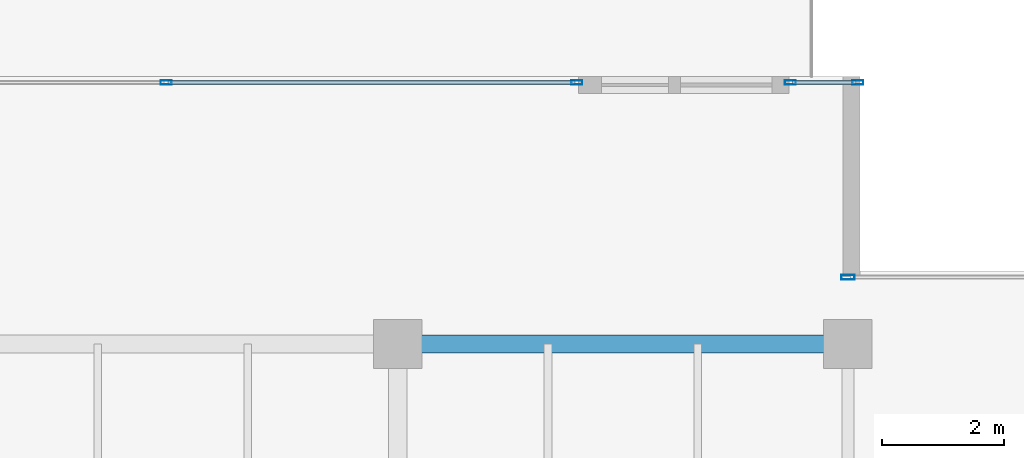
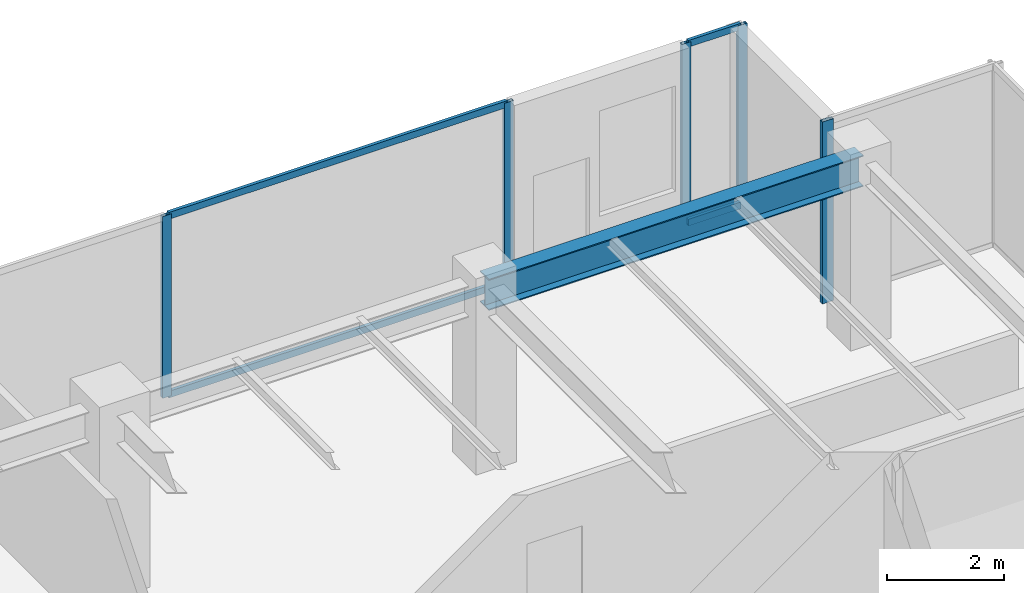
# One storey, part 21 of 34: 9 members, 1 beam, 3 elements without a shape of their own.
"""IFC4 building model written with IfcOpenShell, lengths in metres."""

from ifc_helpers import new_model, si_unit, direction, frame, origin, origin_2d, place, context, subcontext, project, spatial, hollow_rectangle, i_section, extrude, source, transform, mapped, material, layer, layer_set, material_profile, profile_set, type_object, type_shapes, element, aggregate, save


model = new_model("IFC4")

# Units and contexts
model_context = context("Model", 3, precision=1e-05, world=origin(), true_north=direction((0.0, 1.0)))
body_context = subcontext(model_context, "Body", "Model", "MODEL_VIEW")
ifc_project = project(units=[si_unit("LENGTHUNIT", "METRE"), si_unit("AREAUNIT", "SQUARE_METRE"), si_unit("VOLUMEUNIT", "CUBIC_METRE"), si_unit("PLANEANGLEUNIT", "RADIAN"), si_unit("MASSUNIT", "GRAM", prefix="KILO")], contexts=[model_context])

# Site, building, storey
site_placement = place(None, origin())
site = spatial("IfcSite", under=ifc_project, at=site_placement, CompositionType="ELEMENT")
building_placement = place(site_placement, origin())
building = spatial("IfcBuilding", under=site, at=building_placement, Name="Haelvirn Gate Laboratories", CompositionType="ELEMENT")
storey_placement = place(building_placement, frame((0.0, 0.0, 246.5)))
storey = spatial("IfcBuildingStorey", under=building, at=storey_placement, Name="L59", CompositionType="ELEMENT", Elevation=246.5)

# Beam
ifc_material_1 = material(Name="Steel SM355", Category="steel")
ifc_material_profile_1 = material_profile(ifc_material_1, i_section(OverallWidth=0.300048828125, OverallDepth=0.64990234375, WebThickness=0.012939453125, FlangeThickness=0.02197265625, at=origin_2d()), Name="H-650x300x13x22")
ifc_profile_set_1 = profile_set([ifc_material_profile_1], Name="Steel SM355")
beam_type = type_object("IfcBeamType", Name="BM-G-650", PredefinedType="BEAM", material=ifc_profile_set_1)
shared_shape_1 = source(origin(), body_context, "Body", "SweptSolid", [
    extrude(i_section(OverallWidth=0.300048828125, OverallDepth=0.64990234375, WebThickness=0.012939453125, FlangeThickness=0.02197265625, at=origin_2d()), origin(), (0.0, 0.0, 1.0), 7.39990234375),
])
type_shapes(beam_type, [shared_shape_1])
beam_placement = place(storey_placement, frame((60.0, 41.60009765625, 3.47509765625), z_axis=(1.0, 0.0, 0.0), x_axis=(0.0, 1.0, 0.0)))
element("IfcBeam", 1, at=beam_placement, inside=storey, type_object=beam_type, Name="L59 Primary Girder Y41.6 (60.0-67.4)", PredefinedType="BEAM", context=body_context, shape_type="MappedRepresentation", body=[
    mapped(shared_shape_1, transform((0.0, 0.0, 0.0), scale=1.0)),
])

# Curtain wall, members
ifc_material_2 = material(Name="Anodised bronze unitised aluminium & triple low-E glass", Category="aluminium")
ifc_layer_1 = layer(ifc_material_2, 0.176025390625, Name="CW-SYS-4")
ifc_layer_set_1 = layer_set([ifc_layer_1], Name="Anodised bronze unitised aluminium & triple low-E glass")
curtain_wall_type_1 = type_object("IfcCurtainWallType", Name="CW-SYS-4", PredefinedType="NOTDEFINED", material=ifc_layer_set_1)
curtain_wall_1_placement = place(storey_placement, origin())
curtain_wall_1 = element("IfcCurtainWall", 2, at=curtain_wall_1_placement, inside=storey, type_object=curtain_wall_type_1, Name="L59 Unitised Curtain Wall CW-L59-P0-E10-1", PredefinedType="NOTDEFINED")
ifc_material_3 = material(Name="Extruded aluminium 6063-T6 (anodised bronze)", Category="aluminium")
ifc_material_profile_2 = material_profile(ifc_material_3, hollow_rectangle(XDim=0.070068359375, YDim=0.179931640625, WallThickness=0.0048828125, at=origin_2d()), Name="CWM-180x70x5")
ifc_profile_set_2 = profile_set([ifc_material_profile_2], Name="Extruded aluminium 6063-T6 (anodised bronze)")
member_type_1 = type_object("IfcMemberType", Name="CWM-T180", PredefinedType="MULLION", material=ifc_profile_set_2)
shared_shape_2 = source(origin(), body_context, "Body", "SweptSolid", [
    extrude(hollow_rectangle(XDim=0.070068359375, YDim=0.179931640625, WallThickness=0.0048828125, at=origin_2d()), origin(), (0.0, 0.0, 1.0), 3.800048828125),
])
type_shapes(member_type_1, [shared_shape_2])
member_1_placement = place(storey_placement, frame((56.18994140625, 45.89990234375, 0.0), z_axis=(0.0, 0.0, 1.0), x_axis=(0.0, 1.0, 0.0)))
member_1 = element("IfcMember", 3, at=member_1_placement, type_object=member_type_1, Name="CW4 mullion 2", PredefinedType="MULLION", context=body_context, shape_type="MappedRepresentation", body=[
    mapped(shared_shape_2, transform((0.0, 0.0, 0.0), scale=1.0)),
])
member_2_placement = place(storey_placement, frame((62.945068359375, 45.89990234375, 0.0), z_axis=(0.0, 0.0, 1.0), x_axis=(0.0, 1.0, 0.0)))
member_2 = element("IfcMember", 4, at=member_2_placement, type_object=member_type_1, Name="CW4 mullion 3", PredefinedType="MULLION", context=body_context, shape_type="MappedRepresentation", body=[
    mapped(shared_shape_2, transform((0.0, 0.0, 0.0), scale=1.0)),
])

curtain_wall_2_placement = place(storey_placement, origin())
curtain_wall_2 = element("IfcCurtainWall", 5, at=curtain_wall_2_placement, inside=storey, type_object=curtain_wall_type_1, Name="L59 Unitised Curtain Wall CW-L59-P0-E10-2", PredefinedType="NOTDEFINED")
member_3_placement = place(storey_placement, frame((66.455078125, 45.89990234375, 0.0), z_axis=(0.0, 0.0, 1.0), x_axis=(0.0, 1.0, 0.0)))
member_3 = element("IfcMember", 6, at=member_3_placement, type_object=member_type_1, Name="CW4 mullion 1", PredefinedType="MULLION", context=body_context, shape_type="MappedRepresentation", body=[
    mapped(shared_shape_2, transform((0.0, 0.0, 0.0), scale=1.0)),
])
member_4_placement = place(storey_placement, frame((67.56494140625, 45.89990234375, 0.0), z_axis=(0.0, 0.0, 1.0), x_axis=(0.0, 1.0, 0.0)))
member_4 = element("IfcMember", 7, at=member_4_placement, type_object=member_type_1, Name="CW4 mullion 2", PredefinedType="MULLION", context=body_context, shape_type="MappedRepresentation", body=[
    mapped(shared_shape_2, transform((0.0, 0.0, 0.0), scale=1.0)),
])

# Curtain wall, member
ifc_layer_2 = layer(ifc_material_2, 0.181884765625, Name="CW-SYS-5")
ifc_layer_set_2 = layer_set([ifc_layer_2], Name="Anodised bronze unitised aluminium & triple low-E glass")
curtain_wall_type_2 = type_object("IfcCurtainWallType", Name="CW-SYS-5", PredefinedType="NOTDEFINED", material=ifc_layer_set_2)
curtain_wall_3_placement = place(storey_placement, origin())
curtain_wall_3 = element("IfcCurtainWall", 8, at=curtain_wall_3_placement, inside=storey, type_object=curtain_wall_type_2, Name="L59 Unitised Curtain Wall CW-L59-P0-E08-1", PredefinedType="NOTDEFINED")
ifc_material_profile_3 = material_profile(ifc_material_3, hollow_rectangle(XDim=0.080078125, YDim=0.219970703125, WallThickness=0.006103515625, at=origin_2d()), Name="CWM-220x80x6")
ifc_profile_set_3 = profile_set([ifc_material_profile_3], Name="Extruded aluminium 6063-T6 (anodised bronze)")
member_type_2 = type_object("IfcMemberType", Name="CWM-T220", PredefinedType="MULLION", material=ifc_profile_set_3)
shared_shape_3 = source(origin(), body_context, "Body", "SweptSolid", [
    extrude(hollow_rectangle(XDim=0.080078125, YDim=0.219970703125, WallThickness=0.006103515625, at=origin_2d()), origin(), (0.0, 0.0, 1.0), 3.800048828125),
])
type_shapes(member_type_2, [shared_shape_3])
member_5_placement = place(storey_placement, frame((67.39990234375, 42.699951171875, 0.0), z_axis=(0.0, 0.0, 1.0), x_axis=(0.0, 1.0, 0.0)))
member_5 = element("IfcMember", 9, at=member_5_placement, type_object=member_type_2, Name="CW5 mullion 1", PredefinedType="MULLION", context=body_context, shape_type="MappedRepresentation", body=[
    mapped(shared_shape_3, transform((0.0, 0.0, 0.0), scale=1.0)),
])
aggregate(curtain_wall_3, [member_5])

# Member
ifc_material_profile_4 = material_profile(ifc_material_3, hollow_rectangle(XDim=0.06494140625, YDim=0.139892578125, WallThickness=0.00390625, at=origin_2d()), Name="CWT-140x65x4")
ifc_profile_set_4 = profile_set([ifc_material_profile_4], Name="Extruded aluminium 6063-T6 (anodised bronze)")
member_type_3 = type_object("IfcMemberType", Name="CWT-T140", PredefinedType="USERDEFINED", material=ifc_profile_set_4)
shared_shape_4 = source(origin(), body_context, "Body", "SweptSolid", [
    extrude(hollow_rectangle(XDim=0.06494140625, YDim=0.139892578125, WallThickness=0.00390625, at=origin_2d()), origin(), (0.0, 0.0, 1.0), 6.684814453125),
])
member_6_placement = place(storey_placement, frame((56.22509765625, 45.89990234375, 0.032470703125), z_axis=(1.0, 0.0, 0.0), x_axis=(0.0, 1.0, 0.0)))
member_6 = element("IfcMember", 10, at=member_6_placement, type_object=member_type_3, Name="CW4 transom 2.1", ObjectType="TRANSOM", PredefinedType="USERDEFINED", context=body_context, shape_type="MappedRepresentation", body=[
    mapped(shared_shape_4, transform((0.0, 0.0, 0.0), scale=1.0)),
])

member_7_placement = place(storey_placement, frame((56.22509765625, 45.89990234375, 3.767578125), z_axis=(1.0, 0.0, 0.0), x_axis=(0.0, 1.0, 0.0)))
member_7 = element("IfcMember", 11, at=member_7_placement, type_object=member_type_3, Name="CW4 transom 2.2", ObjectType="TRANSOM", PredefinedType="USERDEFINED", context=body_context, shape_type="MappedRepresentation", body=[
    mapped(shared_shape_4, transform((0.0, 0.0, 0.0), scale=1.0)),
])

aggregate(curtain_wall_1, [member_1, member_2, member_6, member_7])

shared_shape_5 = source(origin(), body_context, "Body", "SweptSolid", [
    extrude(hollow_rectangle(XDim=0.06494140625, YDim=0.139892578125, WallThickness=0.00390625, at=origin_2d()), origin(), (0.0, 0.0, 1.0), 1.0400390625),
])
type_shapes(member_type_3, [shared_shape_4, shared_shape_5])
member_8_placement = place(storey_placement, frame((66.489990234375, 45.89990234375, 0.032470703125), z_axis=(1.0, 0.0, 0.0), x_axis=(0.0, 1.0, 0.0)))
member_8 = element("IfcMember", 12, at=member_8_placement, type_object=member_type_3, Name="CW4 transom 1.1", ObjectType="TRANSOM", PredefinedType="USERDEFINED", context=body_context, shape_type="MappedRepresentation", body=[
    mapped(shared_shape_5, transform((0.0, 0.0, 0.0), scale=1.0)),
])

member_9_placement = place(storey_placement, frame((66.489990234375, 45.89990234375, 3.767578125), z_axis=(1.0, 0.0, 0.0), x_axis=(0.0, 1.0, 0.0)))
member_9 = element("IfcMember", 13, at=member_9_placement, type_object=member_type_3, Name="CW4 transom 1.2", ObjectType="TRANSOM", PredefinedType="USERDEFINED", context=body_context, shape_type="MappedRepresentation", body=[
    mapped(shared_shape_5, transform((0.0, 0.0, 0.0), scale=1.0)),
])

aggregate(curtain_wall_2, [member_3, member_4, member_8, member_9])

save(model, "model.ifc")
